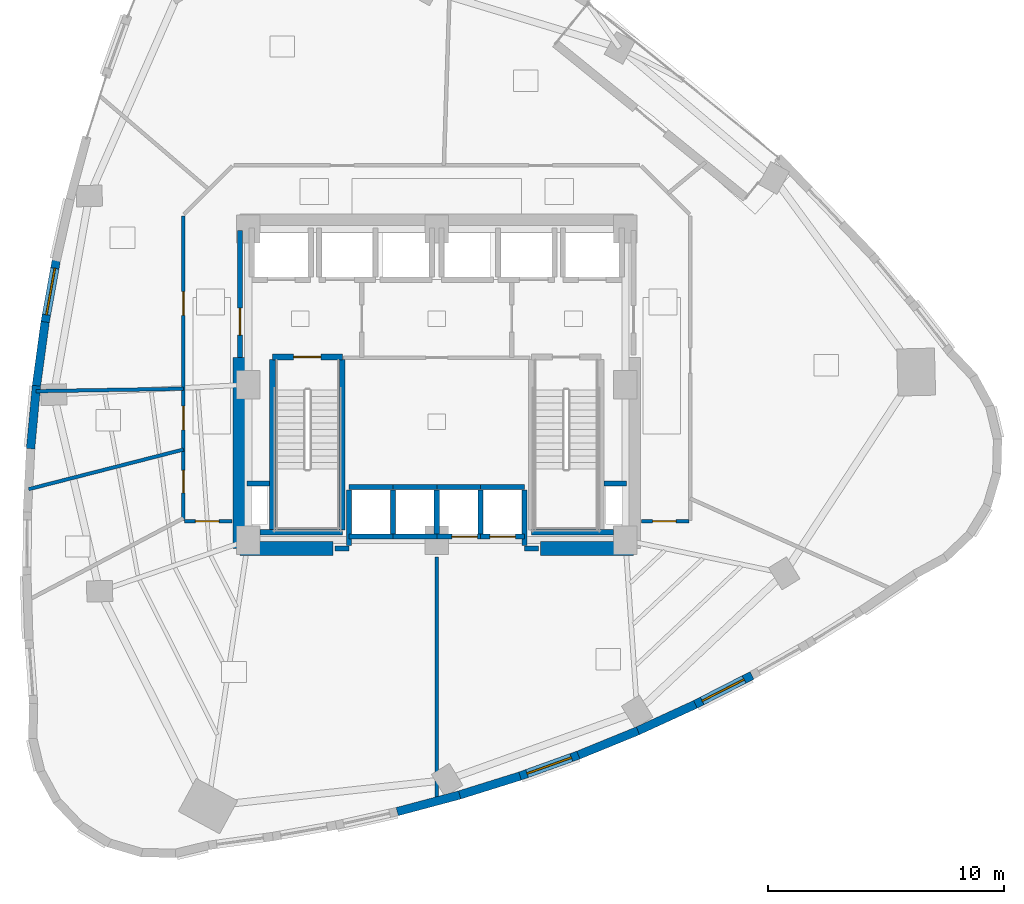
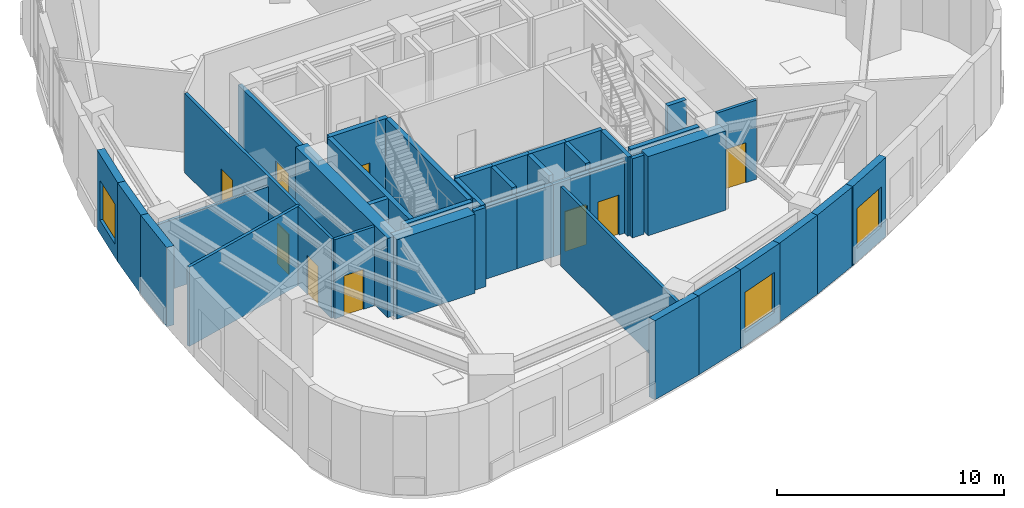
# One storey, part 11 of 16: 41 walls, 9 doors, 3 windows, 12 openings.
"""IFC4 building model written with IfcOpenShell, lengths in metres."""

from ifc_helpers import new_model, si_unit, direction, frame, frame_2d, origin, place, context, subcontext, project, spatial, rectangle, extrude, material, layer, layer_set, type_object, element, fill, save


model = new_model("IFC4")

# Units and contexts
model_context = context("Model", 3, precision=1e-05, world=origin(), true_north=direction((0.0, 1.0)))
body_context = subcontext(model_context, "Body", "Model", "MODEL_VIEW")
ifc_project = project(units=[si_unit("LENGTHUNIT", "METRE"), si_unit("AREAUNIT", "SQUARE_METRE"), si_unit("VOLUMEUNIT", "CUBIC_METRE"), si_unit("PLANEANGLEUNIT", "RADIAN"), si_unit("MASSUNIT", "GRAM", prefix="KILO")], contexts=[model_context])

# Site, building, storey
site_placement = place(None, origin())
site = spatial("IfcSite", under=ifc_project, at=site_placement, CompositionType="ELEMENT")
building_placement = place(site_placement, origin())
building = spatial("IfcBuilding", under=site, at=building_placement, Name="Ndelora Gate Hotel", CompositionType="ELEMENT")
storey_placement = place(building_placement, frame((0.0, 0.0, 92.75)))
storey = spatial("IfcBuildingStorey", under=building, at=storey_placement, Name="L22", CompositionType="ELEMENT", Elevation=92.75)

# Wall, opening, window
ifc_material_1 = material(Name="Clay Brick Masonry", Category="masonry")
ifc_layer_1 = layer(ifc_material_1, 0.360107421875)
ifc_layer_set_1 = layer_set([ifc_layer_1], Name="Clay Brick Masonry")
wall_type_1 = type_object("IfcWallType", Name="WL-BRICK-360", PredefinedType="SOLIDWALL", material=ifc_layer_set_1)
wall_1_placement = place(storey_placement, frame((-16.62744140625, 2.608154296875, 0.0), z_axis=(0.0, 0.0, 1.0), x_axis=(0.177366119488, 0.984144938339, 0.0)))
wall_1 = element("IfcWall", 1, at=wall_1_placement, inside=storey, type_object=wall_type_1, Name="L22 Tower Brick Pier-and-Spandrel Wall TWR-14", PredefinedType="SOLIDWALL", context=body_context, shape_type="SweptSolid", body=[
    extrude(rectangle(XDim=2.7294921875, YDim=0.360107421875, at=frame_2d((1.36474609375, 0.0))), origin(), (0.0, 0.0, 1.0), 4.25),
])
opening_1_placement = place(wall_1_placement, frame((0.36474609375, 0.0, 0.719970703125)))
opening_1 = element("IfcOpeningElement", 2, at=opening_1_placement, cuts=wall_1, Name="Opening W05", PredefinedType="OPENING", context=body_context, shape_type="SweptSolid", body=[
    extrude(rectangle(XDim=2.0, YDim=2.14990234375, at=frame_2d((1.0, 1.074951171875))), frame((0.0, 0.18994140625, 0.0), z_axis=(0.0, -1.0, 0.0), x_axis=(1.0, 0.0, 0.0)), (0.0, 0.0, 1.0), 0.380126953125),
])
ifc_material_2 = material(Name="Insulated Low-E Double Glazing in Bronze Aluminium Frame", Category="aluminium")
window_type = type_object("IfcWindowType", Name="WN-SKY-2000", PartitioningType="SINGLE_PANEL", PredefinedType="WINDOW", material=ifc_material_2)
window_1_placement = place(opening_1_placement, origin())
window_1 = element("IfcWindow", 3, at=window_1_placement, inside=storey, type_object=window_type, Name="L22 Deep-Set Brick-Pier Window W05", OverallHeight=2.14990234375, OverallWidth=2.0, PartitioningType="SINGLE_PANEL", PredefinedType="WINDOW", context=body_context, shape_type="SweptSolid", body=[
    extrude(rectangle(XDim=2.0, YDim=2.14990234375, at=frame_2d((1.0, 1.074951171875))), frame((0.0, 0.030029296875, 0.0), z_axis=(0.0, -1.0, 0.0), x_axis=(1.0, 0.0, 0.0)), (0.0, 0.0, 1.0), 0.06005859375),
])
fill(opening_1, window_1)

# Walls
wall_2_placement = place(storey_placement, frame((-16.9892578125, -0.046875, 0.0), z_axis=(0.0, 0.0, 1.0), x_axis=(0.135408542402, 0.99078984989, 0.0)))
element("IfcWall", 4, at=wall_2_placement, inside=storey, type_object=wall_type_1, Name="L22 Tower Brick Pier-and-Spandrel Wall TWR-15", PredefinedType="SOLIDWALL", context=body_context, shape_type="SweptSolid", body=[
    extrude(rectangle(XDim=2.729736328125, YDim=0.360107421875, at=frame_2d((1.36474609375, 0.0))), origin(), (0.0, 0.0, 1.0), 4.25),
])
wall_3_placement = place(storey_placement, frame((-17.23828125, -2.7197265625, 0.0), z_axis=(0.0, 0.0, 1.0), x_axis=(0.09321624124, 0.995645887035, 0.0)))
element("IfcWall", 5, at=wall_3_placement, inside=storey, type_object=wall_type_1, Name="L22 Tower Brick Pier-and-Spandrel Wall TWR-16", PredefinedType="SOLIDWALL", context=body_context, shape_type="SweptSolid", body=[
    extrude(rectangle(XDim=2.734375, YDim=0.360107421875, at=frame_2d((1.3671875, 0.0))), origin(), (0.0, 0.0, 1.0), 4.25),
])
wall_4_placement = place(storey_placement, frame((0.971923828125, -17.413330078125, 0.0), z_axis=(0.0, 0.0, 1.0), x_axis=(-0.966234939601, -0.25766265056, 0.0)))
element("IfcWall", 6, at=wall_4_placement, inside=storey, type_object=wall_type_1, Name="L22 Tower Brick Pier-and-Spandrel Wall TWR-32", PredefinedType="SOLIDWALL", context=body_context, shape_type="SweptSolid", body=[
    extrude(rectangle(XDim=2.744140625, YDim=0.360107421875, at=frame_2d((1.3720703125, 0.0))), origin(), (0.0, 0.0, 1.0), 4.25),
])
wall_5_placement = place(storey_placement, frame((3.533935546875, -16.61181640625, 0.0), z_axis=(0.0, 0.0, 1.0), x_axis=(-0.954503804453, -0.298198737899, 0.0)))
element("IfcWall", 7, at=wall_5_placement, inside=storey, type_object=wall_type_1, Name="L22 Tower Brick Pier-and-Spandrel Wall TWR-33", PredefinedType="SOLIDWALL", context=body_context, shape_type="SweptSolid", body=[
    extrude(rectangle(XDim=2.734619140625, YDim=0.360107421875, at=frame_2d((1.3671875, 0.0))), origin(), (0.0, 0.0, 1.0), 4.25),
])

# Wall, opening, window
wall_6_placement = place(storey_placement, frame((6.054931640625, -15.703857421875, 0.0), z_axis=(0.0, 0.0, 1.0), x_axis=(-0.940978598113, -0.338466066089, 0.0)))
wall_6 = element("IfcWall", 8, at=wall_6_placement, inside=storey, type_object=wall_type_1, Name="L22 Tower Brick Pier-and-Spandrel Wall TWR-34", PredefinedType="SOLIDWALL", context=body_context, shape_type="SweptSolid", body=[
    extrude(rectangle(XDim=2.7294921875, YDim=0.360107421875, at=frame_2d((1.36474609375, 0.0))), origin(), (0.0, 0.0, 1.0), 4.25),
])
opening_2_placement = place(wall_6_placement, frame((0.36474609375, 0.0, 0.719970703125)))
opening_2 = element("IfcOpeningElement", 9, at=opening_2_placement, cuts=wall_6, Name="Opening W05", PredefinedType="OPENING", context=body_context, shape_type="SweptSolid", body=[
    extrude(rectangle(XDim=2.0, YDim=2.14990234375, at=frame_2d((1.0, 1.074951171875))), frame((0.0, 0.18994140625, 0.0), z_axis=(0.0, -1.0, 0.0), x_axis=(1.0, 0.0, 0.0)), (0.0, 0.0, 1.0), 0.380126953125),
])
window_2_placement = place(opening_2_placement, origin())
window_2 = element("IfcWindow", 10, at=window_2_placement, inside=storey, type_object=window_type, Name="L22 Deep-Set Brick-Pier Window W05", OverallHeight=2.14990234375, OverallWidth=2.0, PartitioningType="SINGLE_PANEL", PredefinedType="WINDOW", context=body_context, shape_type="SweptSolid", body=[
    extrude(rectangle(XDim=2.0, YDim=2.14990234375, at=frame_2d((1.0, 1.074951171875))), frame((0.0, 0.030029296875, 0.0), z_axis=(0.0, -1.0, 0.0), x_axis=(1.0, 0.0, 0.0)), (0.0, 0.0, 1.0), 0.06005859375),
])
fill(opening_2, window_2)

# Walls
wall_7_placement = place(storey_placement, frame((8.53515625, -14.689697265625, 0.0), z_axis=(0.0, 0.0, 1.0), x_axis=(-0.925769066795, -0.378089453656, 0.0)))
element("IfcWall", 11, at=wall_7_placement, inside=storey, type_object=wall_type_1, Name="L22 Tower Brick Pier-and-Spandrel Wall TWR-35", PredefinedType="SOLIDWALL", context=body_context, shape_type="SweptSolid", body=[
    extrude(rectangle(XDim=2.7294921875, YDim=0.360107421875, at=frame_2d((1.36474609375, 0.0))), origin(), (0.0, 0.0, 1.0), 4.25),
])
wall_8_placement = place(storey_placement, frame((10.974609375, -13.569091796875, 0.0), z_axis=(0.0, 0.0, 1.0), x_axis=(-0.908890021948, -0.417035883352, 0.0)))
element("IfcWall", 12, at=wall_8_placement, inside=storey, type_object=wall_type_1, Name="L22 Tower Brick Pier-and-Spandrel Wall TWR-36", PredefinedType="SOLIDWALL", context=body_context, shape_type="SweptSolid", body=[
    extrude(rectangle(XDim=2.734375, YDim=0.360107421875, at=frame_2d((1.3671875, 0.0))), origin(), (0.0, 0.0, 1.0), 4.25),
])

# Wall, opening, window
wall_9_placement = place(storey_placement, frame((13.373046875, -12.34228515625, 0.0), z_axis=(0.0, 0.0, 1.0), x_axis=(-0.890460318586, -0.455060898148, 0.0)))
wall_9 = element("IfcWall", 13, at=wall_9_placement, inside=storey, type_object=wall_type_1, Name="L22 Tower Brick Pier-and-Spandrel Wall TWR-37", PredefinedType="SOLIDWALL", context=body_context, shape_type="SweptSolid", body=[
    extrude(rectangle(XDim=2.744140625, YDim=0.360107421875, at=frame_2d((1.3720703125, 0.0))), origin(), (0.0, 0.0, 1.0), 4.25),
])
opening_3_placement = place(wall_9_placement, frame((0.3720703125, 0.0, 0.719970703125)))
opening_3 = element("IfcOpeningElement", 14, at=opening_3_placement, cuts=wall_9, Name="Opening W05", PredefinedType="OPENING", context=body_context, shape_type="SweptSolid", body=[
    extrude(rectangle(XDim=2.0, YDim=2.14990234375, at=frame_2d((1.0, 1.074951171875))), frame((0.0, 0.18994140625, 0.0), z_axis=(0.0, -1.0, 0.0), x_axis=(1.0, 0.0, 0.0)), (0.0, 0.0, 1.0), 0.380126953125),
])
window_3_placement = place(opening_3_placement, origin())
window_3 = element("IfcWindow", 15, at=window_3_placement, inside=storey, type_object=window_type, Name="L22 Deep-Set Brick-Pier Window W05", OverallHeight=2.14990234375, OverallWidth=2.0, PartitioningType="SINGLE_PANEL", PredefinedType="WINDOW", context=body_context, shape_type="SweptSolid", body=[
    extrude(rectangle(XDim=2.0, YDim=2.14990234375, at=frame_2d((1.0, 1.074951171875))), frame((0.0, 0.030029296875, 0.0), z_axis=(0.0, -1.0, 0.0), x_axis=(1.0, 0.0, 0.0)), (0.0, 0.0, 1.0), 0.06005859375),
])
fill(opening_3, window_3)

# Walls
ifc_material_3 = material(Name="Concrete C60/75", Category="concrete")
ifc_layer_2 = layer(ifc_material_3, 0.60009765625)
ifc_layer_set_2 = layer_set([ifc_layer_2], Name="Concrete C60/75")
wall_type_2 = type_object("IfcWallType", Name="WL-CORE-600", PredefinedType="SHEAR", material=ifc_layer_set_2)
for number, where, z_axis, x_axis, name in (
    (16, (-8.35009765625, -6.949951171875, 0.0), (0.0, 0.0, 1.0), (1.0, 0.0, 0.0), "L22 Core Shear Wall S-W"),
    (17, (4.39990234375, -6.949951171875, 0.0), (0.0, 0.0, 1.0), (1.0, 0.0, 0.0), "L22 Core Shear Wall S-E"),
):
    element("IfcWall", number, at=place(storey_placement, frame(where, z_axis=z_axis, x_axis=x_axis)), inside=storey, type_object=wall_type_2, Name=name, PredefinedType="SHEAR", context=body_context, shape_type="SweptSolid", body=[
        extrude(rectangle(XDim=3.9501953125, YDim=0.60009765625, at=frame_2d((1.97509765625, 0.0))), origin(), (0.0, 0.0, 1.0), 4.25),
    ])
wall_10_placement = place(storey_placement, frame((-8.35009765625, -6.949951171875, 0.0), z_axis=(0.0, 0.0, 1.0), x_axis=(0.0, 1.0, 0.0)))
element("IfcWall", 18, at=wall_10_placement, inside=storey, type_object=wall_type_2, Name="L22 Core Shear Wall W", PredefinedType="SHEAR", context=body_context, shape_type="SweptSolid", body=[
    extrude(rectangle(XDim=8.099853515625, YDim=0.60009765625, at=frame_2d((4.0498046875, 0.0))), origin(), (0.0, 0.0, 1.0), 4.25),
])

# Wall, opening, door
ifc_material_4 = material(Name="Concrete C40/50", Category="concrete")
ifc_layer_3 = layer(ifc_material_4, 0.199951171875)
ifc_layer_set_3 = layer_set([ifc_layer_3], Name="Concrete C40/50")
wall_type_3 = type_object("IfcWallType", Name="WL-FIRE-200", PredefinedType="PARTITIONING", material=ifc_layer_set_3)
wall_11_placement = place(storey_placement, frame((-8.35009765625, 1.14990234375, 0.0), z_axis=(0.0, 0.0, 1.0), x_axis=(0.0, 1.0, 0.0)))
wall_11 = element("IfcWall", 19, at=wall_11_placement, inside=storey, type_object=wall_type_3, Name="L22 Interior Wall IW-2", PredefinedType="PARTITIONING", context=body_context, shape_type="SweptSolid", body=[
    extrude(rectangle(XDim=5.400146484375, YDim=0.199951171875, at=frame_2d((2.7001953125, 0.0))), origin(), (0.0, 0.0, 1.0), 4.25),
])
opening_4_placement = place(wall_11_placement, frame((0.949951171875, 0.0, 0.0)))
opening_4 = element("IfcOpeningElement", 20, at=opening_4_placement, cuts=wall_11, Name="Opening FD1", PredefinedType="OPENING", context=body_context, shape_type="SweptSolid", body=[
    extrude(rectangle(XDim=1.14990234375, YDim=2.14990234375, at=frame_2d((0.574951171875, 1.074951171875))), frame((0.0, 0.10986328125, 0.0), z_axis=(0.0, -1.0, 0.0), x_axis=(1.0, 0.0, 0.0)), (0.0, 0.0, 1.0), 0.219970703125),
])
ifc_material_5 = material(Name="Fire-Rated Timber-Veneer Steel Core", Category="steel")
door_type_1 = type_object("IfcDoorType", Name="DR-FD60", OperationType="SINGLE_SWING_LEFT", PredefinedType="DOOR", material=ifc_material_5)
door_1_placement = place(opening_4_placement, origin())
door_1 = element("IfcDoor", 21, at=door_1_placement, inside=storey, type_object=door_type_1, Name="L22 Firefighting Lobby West Corridor Door", OperationType="SINGLE_SWING_LEFT", OverallHeight=2.14990234375, OverallWidth=1.14990234375, PredefinedType="DOOR", context=body_context, shape_type="SweptSolid", body=[
    extrude(rectangle(XDim=1.14990234375, YDim=2.14990234375, at=frame_2d((0.574951171875, 1.074951171875))), frame((0.0, 0.02490234375, 0.0), z_axis=(0.0, -1.0, 0.0), x_axis=(1.0, 0.0, 0.0)), (0.0, 0.0, 1.0), 0.050048828125),
])
fill(opening_4, door_1)

# Walls
for number, where, z_axis, x_axis, name in (
    (22, (-4.320068359375, -6.949951171875, 0.0), (0.0, 0.0, 1.0), (1.0, 0.0, 0.0), "L22 Interior Wall IW-2"),
    (23, (3.719970703125, -6.949951171875, 0.0), (0.0, 0.0, 1.0), (1.0, 0.0, 0.0), "L22 Interior Wall IW-2"),
):
    element("IfcWall", number, at=place(storey_placement, frame(where, z_axis=z_axis, x_axis=x_axis)), inside=storey, type_object=wall_type_3, Name=name, PredefinedType="PARTITIONING", context=body_context, shape_type="SweptSolid", body=[
        extrude(rectangle(XDim=0.60009765625, YDim=0.199951171875, at=frame_2d((0.300048828125, 0.0))), origin(), (0.0, 0.0, 1.0), 4.25),
    ])

# Wall, opening, door
ifc_material_6 = material(Name="Fire-Rated Gypsum Stud Partition", Category="gypsum")
ifc_layer_4 = layer(ifc_material_6, 0.14990234375)
ifc_layer_set_4 = layer_set([ifc_layer_4], Name="Fire-Rated Gypsum Stud Partition")
wall_type_4 = type_object("IfcWallType", Name="WL-PART-150", PredefinedType="PARTITIONING", material=ifc_layer_set_4)
wall_12_placement = place(storey_placement, frame((-8.68994140625, -5.800048828125, 0.0), z_axis=(0.0, 0.0, 1.0), x_axis=(-1.0, 0.0, 0.0)))
wall_12 = element("IfcWall", 24, at=wall_12_placement, inside=storey, type_object=wall_type_4, Name="L22 Interior Wall IW-5", PredefinedType="PARTITIONING", context=body_context, shape_type="SweptSolid", body=[
    extrude(rectangle(XDim=2.02001953125, YDim=0.14990234375, at=frame_2d((1.010009765625, 0.0))), origin(), (0.0, 0.0, 1.0), 4.25),
])
opening_5_placement = place(wall_12_placement, frame((0.550048828125, 0.0, 0.0)))
opening_5 = element("IfcOpeningElement", 25, at=opening_5_placement, cuts=wall_12, Name="Opening D01", PredefinedType="OPENING", context=body_context, shape_type="SweptSolid", body=[
    extrude(rectangle(XDim=1.0, YDim=2.14990234375, at=frame_2d((0.5, 1.074951171875))), frame((0.0, 0.0849609375, 0.0), z_axis=(0.0, -1.0, 0.0), x_axis=(1.0, 0.0, 0.0)), (0.0, 0.0, 1.0), 0.169921875),
])
ifc_material_7 = material(Name="Acoustic Hardwood Guest Entrance Door", Category="wood")
door_type_2 = type_object("IfcDoorType", Name="DR-COR-1000", OperationType="SINGLE_SWING_LEFT", PredefinedType="DOOR", material=ifc_material_7)
door_2_placement = place(opening_5_placement, origin())
door_2 = element("IfcDoor", 26, at=door_2_placement, inside=storey, type_object=door_type_2, Name="L22 Highland Spa Hydrotherapy Hall Entrance Door", OperationType="SINGLE_SWING_LEFT", OverallHeight=2.14990234375, OverallWidth=1.0, PredefinedType="DOOR", context=body_context, shape_type="SweptSolid", body=[
    extrude(rectangle(XDim=1.0, YDim=2.14990234375, at=frame_2d((0.5, 1.074951171875))), frame((0.0, 0.02490234375, 0.0), z_axis=(0.0, -1.0, 0.0), x_axis=(1.0, 0.0, 0.0)), (0.0, 0.0, 1.0), 0.050048828125),
])
fill(opening_5, door_2)

wall_13_placement = place(storey_placement, frame((10.7099609375, -5.800048828125, 0.0), z_axis=(0.0, 0.0, 1.0), x_axis=(-1.0, 0.0, 0.0)))
wall_13 = element("IfcWall", 27, at=wall_13_placement, inside=storey, type_object=wall_type_4, Name="L22 Interior Wall IW-5", PredefinedType="PARTITIONING", context=body_context, shape_type="SweptSolid", body=[
    extrude(rectangle(XDim=2.02001953125, YDim=0.14990234375, at=frame_2d((1.010009765625, 0.0))), origin(), (0.0, 0.0, 1.0), 4.25),
])
opening_6_placement = place(wall_13_placement, frame((0.550048828125, 0.0, 0.0)))
opening_6 = element("IfcOpeningElement", 28, at=opening_6_placement, cuts=wall_13, Name="Opening D01", PredefinedType="OPENING", context=body_context, shape_type="SweptSolid", body=[
    extrude(rectangle(XDim=1.0, YDim=2.14990234375, at=frame_2d((0.5, 1.074951171875))), frame((0.0, 0.0849609375, 0.0), z_axis=(0.0, -1.0, 0.0), x_axis=(1.0, 0.0, 0.0)), (0.0, 0.0, 1.0), 0.169921875),
])
door_3_placement = place(opening_6_placement, origin())
door_3 = element("IfcDoor", 29, at=door_3_placement, inside=storey, type_object=door_type_2, Name="L22 Indoor Thermal Vitality Pool Entrance Door", OperationType="SINGLE_SWING_RIGHT", OverallHeight=2.14990234375, OverallWidth=1.0, PredefinedType="DOOR", context=body_context, shape_type="SweptSolid", body=[
    extrude(rectangle(XDim=1.0, YDim=2.14990234375, at=frame_2d((0.5, 1.074951171875))), frame((0.0, 0.02490234375, 0.0), z_axis=(0.0, -1.0, 0.0), x_axis=(1.0, 0.0, 0.0)), (0.0, 0.0, 1.0), 0.050048828125),
])
fill(opening_6, door_3)

# Wall, openings, doors
wall_14_placement = place(storey_placement, frame((-10.75, -5.760009765625, 0.0), z_axis=(0.0, 0.0, 1.0), x_axis=(0.0, 1.0, 0.0)))
wall_14 = element("IfcWall", 30, at=wall_14_placement, inside=storey, type_object=wall_type_4, Name="L22 Interior Wall IW-5", PredefinedType="PARTITIONING", context=body_context, shape_type="SweptSolid", body=[
    extrude(rectangle(XDim=12.919921875, YDim=0.14990234375, at=frame_2d((6.4599609375, 0.0))), origin(), (0.0, 0.0, 1.0), 4.25),
])
opening_7_placement = place(wall_14_placement, frame((3.842529296875, 0.0, 0.0)))
opening_7 = element("IfcOpeningElement", 31, at=opening_7_placement, cuts=wall_14, Name="Opening D01", PredefinedType="OPENING", context=body_context, shape_type="SweptSolid", body=[
    extrude(rectangle(XDim=1.0, YDim=2.14990234375, at=frame_2d((0.5, 1.074951171875))), frame((0.0, 0.0849609375, 0.0), z_axis=(0.0, -1.0, 0.0), x_axis=(1.0, 0.0, 0.0)), (0.0, 0.0, 1.0), 0.169921875),
])
opening_8_placement = place(wall_14_placement, frame((1.16796875, 0.0, 0.0)))
opening_8 = element("IfcOpeningElement", 32, at=opening_8_placement, cuts=wall_14, Name="Opening D05", PredefinedType="OPENING", context=body_context, shape_type="SweptSolid", body=[
    extrude(rectangle(XDim=0.949951171875, YDim=2.10009765625, at=frame_2d((0.47509765625, 1.050048828125))), frame((0.0, 0.0849609375, 0.0), z_axis=(0.0, -1.0, 0.0), x_axis=(1.0, 0.0, 0.0)), (0.0, 0.0, 1.0), 0.169921875),
])
opening_9_placement = place(wall_14_placement, frame((8.7021484375, 0.0, 0.0)))
opening_9 = element("IfcOpeningElement", 33, at=opening_9_placement, cuts=wall_14, Name="Opening D01", PredefinedType="OPENING", context=body_context, shape_type="SweptSolid", body=[
    extrude(rectangle(XDim=1.0, YDim=2.14990234375, at=frame_2d((0.5, 1.074951171875))), frame((0.0, 0.0849609375, 0.0), z_axis=(0.0, -1.0, 0.0), x_axis=(1.0, 0.0, 0.0)), (0.0, 0.0, 1.0), 0.169921875),
])
ifc_material_8 = material(Name="Accessible Restroom Wide-Clearance Door", Category="wood")
door_type_3 = type_object("IfcDoorType", Name="DR-ACC-950", OperationType="SINGLE_SWING_LEFT", PredefinedType="DOOR", material=ifc_material_8)
door_4_placement = place(opening_8_placement, origin())
door_4 = element("IfcDoor", 34, at=door_4_placement, inside=storey, type_object=door_type_3, Name="L22 Accessible WC Entrance Door", OperationType="SINGLE_SWING_LEFT", OverallHeight=2.10009765625, OverallWidth=0.949951171875, PredefinedType="DOOR", context=body_context, shape_type="SweptSolid", body=[
    extrude(rectangle(XDim=0.949951171875, YDim=2.10009765625, at=frame_2d((0.47509765625, 1.050048828125))), frame((0.0, 0.02490234375, 0.0), z_axis=(0.0, -1.0, 0.0), x_axis=(1.0, 0.0, 0.0)), (0.0, 0.0, 1.0), 0.050048828125),
])
fill(opening_8, door_4)
door_5_placement = place(opening_7_placement, origin())
door_5 = element("IfcDoor", 35, at=door_5_placement, inside=storey, type_object=door_type_2, Name="L22 Housekeeping and Linen Room Entrance Door", OperationType="SINGLE_SWING_RIGHT", OverallHeight=2.14990234375, OverallWidth=1.0, PredefinedType="DOOR", context=body_context, shape_type="SweptSolid", body=[
    extrude(rectangle(XDim=1.0, YDim=2.14990234375, at=frame_2d((0.5, 1.074951171875))), frame((0.0, 0.02490234375, 0.0), z_axis=(0.0, -1.0, 0.0), x_axis=(1.0, 0.0, 0.0)), (0.0, 0.0, 1.0), 0.050048828125),
])
fill(opening_7, door_5)
door_6_placement = place(opening_9_placement, origin())
door_6 = element("IfcDoor", 36, at=door_6_placement, inside=storey, type_object=door_type_2, Name="L22 Spa Changing Shower Room Entrance Door", OperationType="SINGLE_SWING_RIGHT", OverallHeight=2.14990234375, OverallWidth=1.0, PredefinedType="DOOR", context=body_context, shape_type="SweptSolid", body=[
    extrude(rectangle(XDim=1.0, YDim=2.14990234375, at=frame_2d((0.5, 1.074951171875))), frame((0.0, 0.02490234375, 0.0), z_axis=(0.0, -1.0, 0.0), x_axis=(1.0, 0.0, 0.0)), (0.0, 0.0, 1.0), 0.050048828125),
])
fill(opening_9, door_6)

# Walls
wall_15_placement = place(storey_placement, frame((0.0, -7.320068359375, 0.0), z_axis=(0.0, 0.0, 1.0), x_axis=(0.0, -1.0, 0.0)))
element("IfcWall", 37, at=wall_15_placement, inside=storey, type_object=wall_type_4, Name="L22 Interior Wall IW-5", PredefinedType="PARTITIONING", context=body_context, shape_type="SweptSolid", body=[
    extrude(rectangle(XDim=10.3525390625, YDim=0.14990234375, at=frame_2d((5.17626953125, 0.0))), origin(), (0.0, 0.0, 1.0), 4.25),
])
wall_16_placement = place(storey_placement, frame((-10.75, -0.17578125, 0.0), z_axis=(0.0, 0.0, 1.0), x_axis=(-0.999865864061, -0.016378457992, 0.0)))
element("IfcWall", 38, at=wall_16_placement, inside=storey, type_object=wall_type_4, Name="L22 Interior Wall IW-5", PredefinedType="PARTITIONING", context=body_context, shape_type="SweptSolid", body=[
    extrude(rectangle(XDim=6.260498046875, YDim=0.14990234375, at=frame_2d((3.13037109375, 0.0))), origin(), (0.0, 0.0, 1.0), 3.72998046875),
])
wall_17_placement = place(storey_placement, frame((-10.75, -2.75390625, 0.0), z_axis=(0.0, 0.0, 1.0), x_axis=(-0.96872352571, -0.248142561314, 0.0)))
element("IfcWall", 39, at=wall_17_placement, inside=storey, type_object=wall_type_4, Name="L22 Interior Wall IW-5", PredefinedType="PARTITIONING", context=body_context, shape_type="SweptSolid", body=[
    extrude(rectangle(XDim=6.787841796875, YDim=0.14990234375, at=frame_2d((3.39404296875, 0.0))), origin(), (0.0, 0.0, 1.0), 4.25),
])
ifc_layer_5 = layer(ifc_material_4, 0.219970703125)
ifc_layer_set_5 = layer_set([ifc_layer_5], Name="Concrete C40/50")
wall_type_5 = type_object("IfcWallType", Name="WL-SHAFT-220", PredefinedType="PARTITIONING", material=ifc_layer_set_5)
for number, where, z_axis, x_axis, name in (
    (40, (-8.050048828125, -4.199951171875, 0.0), (0.0, 0.0, 1.0), (1.0, 0.0, 0.0), "L22 Interior Wall IW-1"),
    (41, (7.090087890625, -4.199951171875, 0.0), (0.0, 0.0, 1.0), (1.0, 0.0, 0.0), "L22 Interior Wall IW-1"),
):
    element("IfcWall", number, at=place(storey_placement, frame(where, z_axis=z_axis, x_axis=x_axis)), inside=storey, type_object=wall_type_5, Name=name, PredefinedType="PARTITIONING", context=body_context, shape_type="SweptSolid", body=[
        extrude(rectangle(XDim=0.9599609375, YDim=0.219970703125, at=frame_2d((0.47998046875, 0.0))), origin(), (0.0, 0.0, 1.0), 4.25),
    ])
wall_18_placement = place(storey_placement, frame((-3.719970703125, -6.449951171875, 0.0), z_axis=(0.0, 0.0, 1.0), x_axis=(1.0, 0.0, 0.0)))
element("IfcWall", 42, at=wall_18_placement, inside=storey, type_object=wall_type_5, Name="L22 Interior Wall IW-1", PredefinedType="PARTITIONING", context=body_context, shape_type="SweptSolid", body=[
    extrude(rectangle(XDim=1.85986328125, YDim=0.219970703125, at=frame_2d((0.929931640625, 0.0))), origin(), (0.0, 0.0, 1.0), 3.8701171875),
])
wall_19_placement = place(storey_placement, frame((-3.719970703125, -4.35009765625, 0.0), z_axis=(0.0, 0.0, 1.0), x_axis=(1.0, 0.0, 0.0)))
element("IfcWall", 43, at=wall_19_placement, inside=storey, type_object=wall_type_5, Name="L22 Interior Wall IW-1", PredefinedType="PARTITIONING", context=body_context, shape_type="SweptSolid", body=[
    extrude(rectangle(XDim=1.85986328125, YDim=0.219970703125, at=frame_2d((0.929931640625, 0.0))), origin(), (0.0, 0.0, 1.0), 4.25),
])
wall_20_placement = place(storey_placement, frame((-3.719970703125, -6.830078125, 0.0), z_axis=(0.0, 0.0, 1.0), x_axis=(0.0, 1.0, 0.0)))
element("IfcWall", 44, at=wall_20_placement, inside=storey, type_object=wall_type_5, Name="L22 Interior Wall IW-1", PredefinedType="PARTITIONING", context=body_context, shape_type="SweptSolid", body=[
    extrude(rectangle(XDim=2.360107421875, YDim=0.219970703125, at=frame_2d((1.18017578125, 0.0))), origin(), (0.0, 0.0, 1.0), 4.25),
])
wall_21_placement = place(storey_placement, frame((-1.860107421875, -6.330078125, 0.0), z_axis=(0.0, 0.0, 1.0), x_axis=(0.0, 1.0, 0.0)))
element("IfcWall", 45, at=wall_21_placement, inside=storey, type_object=wall_type_5, Name="L22 Interior Wall IW-1", PredefinedType="PARTITIONING", context=body_context, shape_type="SweptSolid", body=[
    extrude(rectangle(XDim=1.860107421875, YDim=0.219970703125, at=frame_2d((0.93017578125, 0.0))), origin(), (0.0, 0.0, 1.0), 4.25),
])
wall_22_placement = place(storey_placement, frame((-1.860107421875, -6.449951171875, 0.0), z_axis=(0.0, 0.0, 1.0), x_axis=(1.0, 0.0, 0.0)))
element("IfcWall", 46, at=wall_22_placement, inside=storey, type_object=wall_type_5, Name="L22 Interior Wall IW-1", PredefinedType="PARTITIONING", context=body_context, shape_type="SweptSolid", body=[
    extrude(rectangle(XDim=1.860107421875, YDim=0.219970703125, at=frame_2d((0.93017578125, 0.0))), origin(), (0.0, 0.0, 1.0), 3.8701171875),
])
for number, where, z_axis, x_axis, name in (
    (47, (-1.860107421875, -4.35009765625, 0.0), (0.0, 0.0, 1.0), (1.0, 0.0, 0.0), "L22 Interior Wall IW-1"),
    (48, (0.0, -6.330078125, 0.0), (0.0, 0.0, 1.0), (0.0, 1.0, 0.0), "L22 Interior Wall IW-1"),
):
    element("IfcWall", number, at=place(storey_placement, frame(where, z_axis=z_axis, x_axis=x_axis)), inside=storey, type_object=wall_type_5, Name=name, PredefinedType="PARTITIONING", context=body_context, shape_type="SweptSolid", body=[
        extrude(rectangle(XDim=1.860107421875, YDim=0.219970703125, at=frame_2d((0.93017578125, 0.0))), origin(), (0.0, 0.0, 1.0), 4.25),
    ])

# Wall, opening, door
wall_23_placement = place(storey_placement, frame((0.0, -6.449951171875, 0.0), z_axis=(0.0, 0.0, 1.0), x_axis=(1.0, 0.0, 0.0)))
wall_23 = element("IfcWall", 49, at=wall_23_placement, inside=storey, type_object=wall_type_5, Name="L22 Interior Wall IW-1", PredefinedType="PARTITIONING", context=body_context, shape_type="SweptSolid", body=[
    extrude(rectangle(XDim=1.860107421875, YDim=0.219970703125, at=frame_2d((0.93017578125, 0.0))), origin(), (0.0, 0.0, 1.0), 3.8701171875),
])
opening_10_placement = place(wall_23_placement, frame((0.639892578125, 0.0, 0.0)))
opening_10 = element("IfcOpeningElement", 50, at=opening_10_placement, cuts=wall_23, Name="Opening LD2", PredefinedType="OPENING", context=body_context, shape_type="SweptSolid", body=[
    extrude(rectangle(XDim=1.080078125, YDim=2.14990234375, at=frame_2d((0.5400390625, 1.074951171875))), frame((0.0, 0.1201171875, 0.0), z_axis=(0.0, -1.0, 0.0), x_axis=(1.0, 0.0, 0.0)), (0.0, 0.0, 1.0), 0.239990234375),
])
ifc_material_9 = material(Name="Brushed Bronze Stainless Lift Landing Door", Category="metal")
door_type_4 = type_object("IfcDoorType", Name="DR-LD2", OperationType="DOUBLE_DOOR_SLIDING", PredefinedType="DOOR", material=ifc_material_9)
door_7_placement = place(opening_10_placement, origin())
door_7 = element("IfcDoor", 51, at=door_7_placement, inside=storey, type_object=door_type_4, Name="L22 Lift Landing Sliding Door P2A", OperationType="DOUBLE_DOOR_SLIDING", OverallHeight=2.14990234375, OverallWidth=1.080078125, PredefinedType="DOOR", context=body_context, shape_type="SweptSolid", body=[
    extrude(rectangle(XDim=1.080078125, YDim=2.14990234375, at=frame_2d((0.5400390625, 1.074951171875))), frame((0.0, 0.02490234375, 0.0), z_axis=(0.0, -1.0, 0.0), x_axis=(1.0, 0.0, 0.0)), (0.0, 0.0, 1.0), 0.050048828125),
])
fill(opening_10, door_7)

# Walls
for number, where, z_axis, x_axis, name in (
    (52, (0.0, -4.35009765625, 0.0), (0.0, 0.0, 1.0), (1.0, 0.0, 0.0), "L22 Interior Wall IW-1"),
    (53, (1.860107421875, -6.330078125, 0.0), (0.0, 0.0, 1.0), (0.0, 1.0, 0.0), "L22 Interior Wall IW-1"),
):
    element("IfcWall", number, at=place(storey_placement, frame(where, z_axis=z_axis, x_axis=x_axis)), inside=storey, type_object=wall_type_5, Name=name, PredefinedType="PARTITIONING", context=body_context, shape_type="SweptSolid", body=[
        extrude(rectangle(XDim=1.860107421875, YDim=0.219970703125, at=frame_2d((0.93017578125, 0.0))), origin(), (0.0, 0.0, 1.0), 4.25),
    ])

# Wall, opening, door
wall_24_placement = place(storey_placement, frame((1.860107421875, -6.449951171875, 0.0), z_axis=(0.0, 0.0, 1.0), x_axis=(1.0, 0.0, 0.0)))
wall_24 = element("IfcWall", 54, at=wall_24_placement, inside=storey, type_object=wall_type_5, Name="L22 Interior Wall IW-1", PredefinedType="PARTITIONING", context=body_context, shape_type="SweptSolid", body=[
    extrude(rectangle(XDim=1.85986328125, YDim=0.219970703125, at=frame_2d((0.929931640625, 0.0))), origin(), (0.0, 0.0, 1.0), 3.8701171875),
])
opening_11_placement = place(wall_24_placement, frame((0.389892578125, 0.0, 0.0)))
opening_11 = element("IfcOpeningElement", 55, at=opening_11_placement, cuts=wall_24, Name="Opening LD2", PredefinedType="OPENING", context=body_context, shape_type="SweptSolid", body=[
    extrude(rectangle(XDim=1.080078125, YDim=2.14990234375, at=frame_2d((0.5400390625, 1.074951171875))), frame((0.0, 0.1201171875, 0.0), z_axis=(0.0, -1.0, 0.0), x_axis=(1.0, 0.0, 0.0)), (0.0, 0.0, 1.0), 0.239990234375),
])
door_8_placement = place(opening_11_placement, origin())
door_8 = element("IfcDoor", 56, at=door_8_placement, inside=storey, type_object=door_type_4, Name="L22 Lift Landing Sliding Door P2B", OperationType="DOUBLE_DOOR_SLIDING", OverallHeight=2.14990234375, OverallWidth=1.080078125, PredefinedType="DOOR", context=body_context, shape_type="SweptSolid", body=[
    extrude(rectangle(XDim=1.080078125, YDim=2.14990234375, at=frame_2d((0.5400390625, 1.074951171875))), frame((0.0, 0.02490234375, 0.0), z_axis=(0.0, -1.0, 0.0), x_axis=(1.0, 0.0, 0.0)), (0.0, 0.0, 1.0), 0.050048828125),
])
fill(opening_11, door_8)

# Walls
wall_25_placement = place(storey_placement, frame((1.860107421875, -4.35009765625, 0.0), z_axis=(0.0, 0.0, 1.0), x_axis=(1.0, 0.0, 0.0)))
element("IfcWall", 57, at=wall_25_placement, inside=storey, type_object=wall_type_5, Name="L22 Interior Wall IW-1", PredefinedType="PARTITIONING", context=body_context, shape_type="SweptSolid", body=[
    extrude(rectangle(XDim=1.85986328125, YDim=0.219970703125, at=frame_2d((0.929931640625, 0.0))), origin(), (0.0, 0.0, 1.0), 4.25),
])
wall_26_placement = place(storey_placement, frame((3.719970703125, -6.830078125, 0.0), z_axis=(0.0, 0.0, 1.0), x_axis=(0.0, 1.0, 0.0)))
element("IfcWall", 58, at=wall_26_placement, inside=storey, type_object=wall_type_5, Name="L22 Interior Wall IW-1", PredefinedType="PARTITIONING", context=body_context, shape_type="SweptSolid", body=[
    extrude(rectangle(XDim=2.360107421875, YDim=0.219970703125, at=frame_2d((1.18017578125, 0.0))), origin(), (0.0, 0.0, 1.0), 4.25),
])
ifc_material_10 = material(Name="Concrete C50/60", Category="concrete")
ifc_layer_6 = layer(ifc_material_10, 0.239990234375)
ifc_layer_set_6 = layer_set([ifc_layer_6], Name="Concrete C50/60")
wall_type_6 = type_object("IfcWallType", Name="WL-STAIR-240", PredefinedType="SHEAR", material=ifc_layer_set_6)
wall_27_placement = place(storey_placement, frame((-6.969970703125, -6.159912109375, 0.0), z_axis=(0.0, 0.0, 1.0), x_axis=(0.0, 1.0, 0.0)))
element("IfcWall", 59, at=wall_27_placement, inside=storey, type_object=wall_type_6, Name="L22 Stair Core Shear Wall SW-ST", PredefinedType="SHEAR", context=body_context, shape_type="SweptSolid", body=[
    extrude(rectangle(XDim=7.219970703125, YDim=0.239990234375, at=frame_2d((3.60986328125, 0.0))), origin(), (0.0, 0.0, 1.0), 4.25),
])
wall_28_placement = place(storey_placement, frame((-7.5, -6.27001953125, 0.0), z_axis=(0.0, 0.0, 1.0), x_axis=(1.0, 0.0, 0.0)))
element("IfcWall", 60, at=wall_28_placement, inside=storey, type_object=wall_type_6, Name="L22 Stair Core Shear Wall SW-ST", PredefinedType="SHEAR", context=body_context, shape_type="SweptSolid", body=[
    extrude(rectangle(XDim=3.489990234375, YDim=0.239990234375, at=frame_2d((1.7451171875, 0.0))), origin(), (0.0, 0.0, 1.0), 4.25),
])
wall_29_placement = place(storey_placement, frame((-4.010009765625, -6.159912109375, 0.0), z_axis=(0.0, 0.0, 1.0), x_axis=(0.0, 1.0, 0.0)))
element("IfcWall", 61, at=wall_29_placement, inside=storey, type_object=wall_type_6, Name="L22 Stair Core Shear Wall SW-ST", PredefinedType="SHEAR", context=body_context, shape_type="SweptSolid", body=[
    extrude(rectangle(XDim=7.219970703125, YDim=0.239990234375, at=frame_2d((3.60986328125, 0.0))), origin(), (0.0, 0.0, 1.0), 4.25),
])

# Wall, opening, door
wall_30_placement = place(storey_placement, frame((-6.969970703125, 1.169921875, 0.0), z_axis=(0.0, 0.0, 1.0), x_axis=(1.0, 0.0, 0.0)))
wall_30 = element("IfcWall", 62, at=wall_30_placement, inside=storey, type_object=wall_type_6, Name="L22 Stair Core Shear Wall SW-ST", PredefinedType="SHEAR", context=body_context, shape_type="SweptSolid", body=[
    extrude(rectangle(XDim=2.9599609375, YDim=0.239990234375, at=frame_2d((1.47998046875, 0.0))), origin(), (0.0, 0.0, 1.0), 4.25),
])
opening_12_placement = place(wall_30_placement, frame((0.89990234375, 0.0, 0.0)))
opening_12 = element("IfcOpeningElement", 63, at=opening_12_placement, cuts=wall_30, Name="Opening FD1", PredefinedType="OPENING", context=body_context, shape_type="SweptSolid", body=[
    extrude(rectangle(XDim=1.14990234375, YDim=2.14990234375, at=frame_2d((0.574951171875, 1.074951171875))), frame((0.0, 0.1298828125, 0.0), z_axis=(0.0, -1.0, 0.0), x_axis=(1.0, 0.0, 0.0)), (0.0, 0.0, 1.0), 0.260009765625),
])
door_9_placement = place(opening_12_placement, origin())
door_9 = element("IfcDoor", 64, at=door_9_placement, inside=storey, type_object=door_type_1, Name="L22 Exit Stair ST4 Door", OperationType="SINGLE_SWING_LEFT", OverallHeight=2.14990234375, OverallWidth=1.14990234375, PredefinedType="DOOR", context=body_context, shape_type="SweptSolid", body=[
    extrude(rectangle(XDim=1.14990234375, YDim=2.14990234375, at=frame_2d((0.574951171875, 1.074951171875))), frame((0.0, 0.02490234375, 0.0), z_axis=(0.0, -1.0, 0.0), x_axis=(1.0, 0.0, 0.0)), (0.0, 0.0, 1.0), 0.050048828125),
])
fill(opening_12, door_9)

# Wall
wall_31_placement = place(storey_placement, frame((4.010009765625, -6.27001953125, 0.0), z_axis=(0.0, 0.0, 1.0), x_axis=(1.0, 0.0, 0.0)))
element("IfcWall", 65, at=wall_31_placement, inside=storey, type_object=wall_type_6, Name="L22 Stair Core Shear Wall SW-ST", PredefinedType="SHEAR", context=body_context, shape_type="SweptSolid", body=[
    extrude(rectangle(XDim=3.489990234375, YDim=0.239990234375, at=frame_2d((1.7451171875, 0.0))), origin(), (0.0, 0.0, 1.0), 4.25),
])

save(model, "model.ifc")
